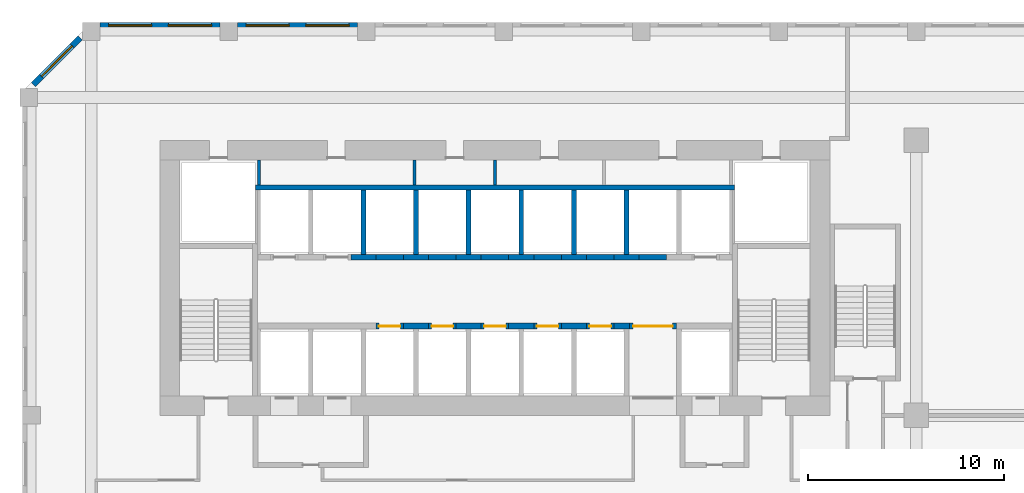
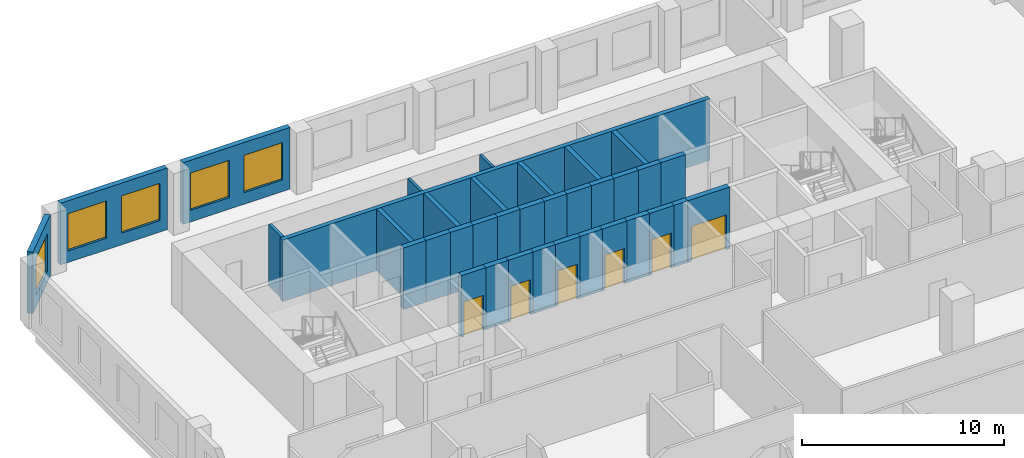
# One storey, part 13 of 25: 36 walls, 6 doors, 5 windows, 11 openings.
"""IFC4 building model written with IfcOpenShell, lengths in metres."""

from ifc_helpers import new_model, si_unit, direction, frame, frame_2d, origin, place, context, subcontext, project, spatial, rectangle, extrude, source, transform, mapped, material, layer, layer_set, type_object, element, fill, save


model = new_model("IFC4")

# Units and contexts
model_context = context("Model", 3, precision=1e-05, world=origin(), true_north=direction((0.0, 1.0)))
body_context = subcontext(model_context, "Body", "Model", "MODEL_VIEW")
ifc_project = project(units=[si_unit("LENGTHUNIT", "METRE"), si_unit("AREAUNIT", "SQUARE_METRE"), si_unit("VOLUMEUNIT", "CUBIC_METRE"), si_unit("PLANEANGLEUNIT", "RADIAN"), si_unit("MASSUNIT", "GRAM", prefix="KILO")], contexts=[model_context])

# Site, building, storey
site_placement = place(None, origin())
site = spatial("IfcSite", under=ifc_project, at=site_placement, CompositionType="ELEMENT")
building_placement = place(site_placement, origin())
building = spatial("IfcBuilding", under=site, at=building_placement, Name="Kilnfold Tower and Market Hall", CompositionType="ELEMENT")
storey_placement = place(building_placement, frame((0.0, 0.0, 67.199951171875)))
storey = spatial("IfcBuildingStorey", under=building, at=storey_placement, Name="L15", CompositionType="ELEMENT", Elevation=67.199951171875)

# Walls
ifc_material_1 = material(Name="Concrete C80", Category="concrete")
ifc_layer_1 = layer(ifc_material_1, 0.300048828125)
ifc_layer_set_1 = layer_set([ifc_layer_1], Name="Concrete C80")
wall_type_1 = type_object("IfcWallType", Name="CORE WALL 300 C80", PredefinedType="SHEAR", material=ifc_layer_set_1)
shared_shape_1 = source(origin(), body_context, "Body", "SweptSolid", [
    extrude(rectangle(XDim=1.280029296875, YDim=0.300048828125, at=frame_2d((0.64013671875, 0.0))), origin(), (0.0, 0.0, 1.0), 3.719970703125),
])
for number, where, z_axis, x_axis, name in (
    (1, (-3.610107421875, 12.550048828125, 0.0), (0.0, 0.0, 1.0), (1.0, 0.0, 0.0), "Core spine wall"),
    (2, (-0.929931640625, 12.550048828125, 0.0), (0.0, 0.0, 1.0), (1.0, 0.0, 0.0), "Core spine wall"),
    (3, (1.75, 12.550048828125, 0.0), (0.0, 0.0, 1.0), (1.0, 0.0, 0.0), "Core spine wall"),
    (4, (4.429931640625, 12.550048828125, 0.0), (0.0, 0.0, 1.0), (1.0, 0.0, 0.0), "Core spine wall"),
    (5, (-6.2900390625, 16.050048828125, 0.0), (0.0, 0.0, 1.0), (1.0, 0.0, 0.0), "Core spine wall"),
    (6, (-3.610107421875, 16.050048828125, 0.0), (0.0, 0.0, 1.0), (1.0, 0.0, 0.0), "Core spine wall"),
    (7, (-0.929931640625, 16.050048828125, 0.0), (0.0, 0.0, 1.0), (1.0, 0.0, 0.0), "Core spine wall"),
    (8, (1.75, 16.050048828125, 0.0), (0.0, 0.0, 1.0), (1.0, 0.0, 0.0), "Core spine wall"),
    (9, (4.429931640625, 16.050048828125, 0.0), (0.0, 0.0, 1.0), (1.0, 0.0, 0.0), "Core spine wall"),
):
    element("IfcWall", number, at=place(storey_placement, frame(where, z_axis=z_axis, x_axis=x_axis)), inside=storey, type_object=wall_type_1, Name=name, PredefinedType="SHEAR", context=body_context, shape_type="MappedRepresentation", body=[
        mapped(shared_shape_1, transform((0.0, 0.0, 0.0))),
    ])
shared_shape_2 = source(origin(), body_context, "Body", "SweptSolid", [
    extrude(rectangle(XDim=0.77978515625, YDim=0.300048828125, at=frame_2d((0.389892578125, 0.0))), origin(), (0.0, 0.0, 1.0), 3.719970703125),
])
wall_1_placement = place(storey_placement, frame((7.110107421875, 12.550048828125, 0.0), z_axis=(0.0, 0.0, 1.0), x_axis=(1.0, 0.0, 0.0)))
element("IfcWall", 10, at=wall_1_placement, inside=storey, type_object=wall_type_1, Name="Core spine wall", PredefinedType="SHEAR", context=body_context, shape_type="MappedRepresentation", body=[
    mapped(shared_shape_2, transform((0.0, 0.0, 0.0))),
])
shared_shape_3 = source(origin(), body_context, "Body", "SweptSolid", [
    extrude(rectangle(XDim=1.27978515625, YDim=0.300048828125, at=frame_2d((0.639892578125, 0.0))), origin(), (0.0, 0.0, 1.0), 3.719970703125),
])
wall_2_placement = place(storey_placement, frame((7.110107421875, 16.050048828125, 0.0), z_axis=(0.0, 0.0, 1.0), x_axis=(1.0, 0.0, 0.0)))
element("IfcWall", 11, at=wall_2_placement, inside=storey, type_object=wall_type_1, Name="Core spine wall", PredefinedType="SHEAR", context=body_context, shape_type="MappedRepresentation", body=[
    mapped(shared_shape_3, transform((0.0, 0.0, 0.0))),
])

# Wall, opening, window
ifc_material_2 = material(Name="Precast concrete C50/60", Category="concrete")
ifc_layer_2 = layer(ifc_material_2, 0.300048828125)
ifc_layer_set_2 = layer_set([ifc_layer_2], Name="Precast concrete C50/60")
wall_type_2 = type_object("IfcWallType", Name="PRECAST WALL 300", PredefinedType="SOLIDWALL", material=ifc_layer_set_2)
shared_shape_4 = source(origin(), body_context, "Body", "SweptSolid", [
    extrude(rectangle(XDim=3.35888671875, YDim=0.300048828125, at=frame_2d((1.679443359375, 0.0))), origin(), (0.0, 0.0, 1.0), 3.719970703125),
])
wall_3_placement = place(storey_placement, frame((-20.06884765625, 27.218994140625, 0.0), z_axis=(0.0, 0.0, 1.0), x_axis=(-0.707143122278, -0.707070438228, 0.0)))
wall_3 = element("IfcWall", 12, at=wall_3_placement, inside=storey, type_object=wall_type_2, Name="External wall L15 NW", PredefinedType="SOLIDWALL", context=body_context, shape_type="MappedRepresentation", body=[
    mapped(shared_shape_4, transform((0.0, 0.0, 0.0))),
])
opening_1_placement = place(wall_3_placement, frame((0.579345703125, 0.0, 0.699951171875)))
opening_1 = element("IfcOpeningElement", 13, at=opening_1_placement, cuts=wall_3, Name="Opening W1", PredefinedType="OPENING", context=body_context, shape_type="SweptSolid", body=[
    extrude(rectangle(XDim=2.199951171875, YDim=2.25, at=frame_2d((1.10009765625, 1.125))), frame((0.0, 0.16015625, 0.0), z_axis=(0.0, -1.0, 0.0), x_axis=(1.0, 0.0, 0.0)), (0.0, 0.0, 1.0), 0.320068359375),
])
ifc_material_3 = material(Name="Aluminium frame and double glazing", Category="aluminium")
window_type = type_object("IfcWindowType", Name="WINDOW W1 2200X2250", PartitioningType="SINGLE_PANEL", PredefinedType="WINDOW", material=ifc_material_3)
window_1_placement = place(opening_1_placement, origin())
window_1 = element("IfcWindow", 14, at=window_1_placement, inside=storey, type_object=window_type, Name="Window W1 L15 NW-1", OverallHeight=2.25, OverallWidth=2.199951171875, PartitioningType="SINGLE_PANEL", PredefinedType="WINDOW", context=body_context, shape_type="SweptSolid", body=[
    extrude(rectangle(XDim=2.199951171875, YDim=2.25, at=frame_2d((1.10009765625, 1.125))), frame((0.0, 0.030029296875, 0.0), z_axis=(0.0, -1.0, 0.0), x_axis=(1.0, 0.0, 0.0)), (0.0, 0.0, 1.0), 0.06005859375),
])
fill(opening_1, window_1)

# Wall, openings, windows
shared_shape_5 = source(origin(), body_context, "Body", "SweptSolid", [
    extrude(rectangle(XDim=6.10009765625, YDim=0.300048828125, at=frame_2d((3.050048828125, 0.0))), origin(), (0.0, 0.0, 1.0), 3.719970703125),
])
wall_4_placement = place(storey_placement, frame((-5.949951171875, 27.85009765625, 0.0), z_axis=(0.0, 0.0, 1.0), x_axis=(-1.0, 0.0, 0.0)))
wall_4 = element("IfcWall", 15, at=wall_4_placement, inside=storey, type_object=wall_type_2, Name="External wall L15 N", PredefinedType="SOLIDWALL", context=body_context, shape_type="MappedRepresentation", body=[
    mapped(shared_shape_5, transform((0.0, 0.0, 0.0))),
])
opening_2_placement = place(wall_4_placement, frame((0.425048828125, 0.0, 0.699951171875)))
opening_2 = element("IfcOpeningElement", 16, at=opening_2_placement, cuts=wall_4, Name="Opening W1", PredefinedType="OPENING", context=body_context, shape_type="SweptSolid", body=[
    extrude(rectangle(XDim=2.199951171875, YDim=2.25, at=frame_2d((1.10009765625, 1.125))), frame((0.0, 0.16015625, 0.0), z_axis=(0.0, -1.0, 0.0), x_axis=(1.0, 0.0, 0.0)), (0.0, 0.0, 1.0), 0.320068359375),
])
opening_3_placement = place(wall_4_placement, frame((3.47509765625, 0.0, 0.699951171875)))
opening_3 = element("IfcOpeningElement", 17, at=opening_3_placement, cuts=wall_4, Name="Opening W1", PredefinedType="OPENING", context=body_context, shape_type="SweptSolid", body=[
    extrude(rectangle(XDim=2.199951171875, YDim=2.25, at=frame_2d((1.10009765625, 1.125))), frame((0.0, 0.16015625, 0.0), z_axis=(0.0, -1.0, 0.0), x_axis=(1.0, 0.0, 0.0)), (0.0, 0.0, 1.0), 0.320068359375),
])
window_2_placement = place(opening_2_placement, origin())
window_2 = element("IfcWindow", 18, at=window_2_placement, inside=storey, type_object=window_type, Name="Window W1 L15 N-1", OverallHeight=2.25, OverallWidth=2.199951171875, PartitioningType="SINGLE_PANEL", PredefinedType="WINDOW", context=body_context, shape_type="SweptSolid", body=[
    extrude(rectangle(XDim=2.199951171875, YDim=2.25, at=frame_2d((1.10009765625, 1.125))), frame((0.0, 0.030029296875, 0.0), z_axis=(0.0, -1.0, 0.0), x_axis=(1.0, 0.0, 0.0)), (0.0, 0.0, 1.0), 0.06005859375),
])
fill(opening_2, window_2)
window_3_placement = place(opening_3_placement, origin())
window_3 = element("IfcWindow", 19, at=window_3_placement, inside=storey, type_object=window_type, Name="Window W1 L15 N-2", OverallHeight=2.25, OverallWidth=2.199951171875, PartitioningType="SINGLE_PANEL", PredefinedType="WINDOW", context=body_context, shape_type="SweptSolid", body=[
    extrude(rectangle(XDim=2.199951171875, YDim=2.25, at=frame_2d((1.10009765625, 1.125))), frame((0.0, 0.030029296875, 0.0), z_axis=(0.0, -1.0, 0.0), x_axis=(1.0, 0.0, 0.0)), (0.0, 0.0, 1.0), 0.06005859375),
])
fill(opening_3, window_3)

wall_5_placement = place(storey_placement, frame((-12.949951171875, 27.85009765625, 0.0), z_axis=(0.0, 0.0, 1.0), x_axis=(-1.0, 0.0, 0.0)))
wall_5 = element("IfcWall", 20, at=wall_5_placement, inside=storey, type_object=wall_type_2, Name="External wall L15 N", PredefinedType="SOLIDWALL", context=body_context, shape_type="MappedRepresentation", body=[
    mapped(shared_shape_5, transform((0.0, 0.0, 0.0))),
])
opening_4_placement = place(wall_5_placement, frame((0.425048828125, 0.0, 0.699951171875)))
opening_4 = element("IfcOpeningElement", 21, at=opening_4_placement, cuts=wall_5, Name="Opening W1", PredefinedType="OPENING", context=body_context, shape_type="SweptSolid", body=[
    extrude(rectangle(XDim=2.199951171875, YDim=2.25, at=frame_2d((1.10009765625, 1.125))), frame((0.0, 0.16015625, 0.0), z_axis=(0.0, -1.0, 0.0), x_axis=(1.0, 0.0, 0.0)), (0.0, 0.0, 1.0), 0.320068359375),
])
opening_5_placement = place(wall_5_placement, frame((3.47509765625, 0.0, 0.699951171875)))
opening_5 = element("IfcOpeningElement", 22, at=opening_5_placement, cuts=wall_5, Name="Opening W1", PredefinedType="OPENING", context=body_context, shape_type="SweptSolid", body=[
    extrude(rectangle(XDim=2.199951171875, YDim=2.25, at=frame_2d((1.10009765625, 1.125))), frame((0.0, 0.16015625, 0.0), z_axis=(0.0, -1.0, 0.0), x_axis=(1.0, 0.0, 0.0)), (0.0, 0.0, 1.0), 0.320068359375),
])
window_4_placement = place(opening_4_placement, origin())
window_4 = element("IfcWindow", 23, at=window_4_placement, inside=storey, type_object=window_type, Name="Window W1 L15 N-1", OverallHeight=2.25, OverallWidth=2.199951171875, PartitioningType="SINGLE_PANEL", PredefinedType="WINDOW", context=body_context, shape_type="SweptSolid", body=[
    extrude(rectangle(XDim=2.199951171875, YDim=2.25, at=frame_2d((1.10009765625, 1.125))), frame((0.0, 0.030029296875, 0.0), z_axis=(0.0, -1.0, 0.0), x_axis=(1.0, 0.0, 0.0)), (0.0, 0.0, 1.0), 0.06005859375),
])
fill(opening_4, window_4)
window_5_placement = place(opening_5_placement, origin())
window_5 = element("IfcWindow", 24, at=window_5_placement, inside=storey, type_object=window_type, Name="Window W1 L15 N-2", OverallHeight=2.25, OverallWidth=2.199951171875, PartitioningType="SINGLE_PANEL", PredefinedType="WINDOW", context=body_context, shape_type="SweptSolid", body=[
    extrude(rectangle(XDim=2.199951171875, YDim=2.25, at=frame_2d((1.10009765625, 1.125))), frame((0.0, 0.030029296875, 0.0), z_axis=(0.0, -1.0, 0.0), x_axis=(1.0, 0.0, 0.0)), (0.0, 0.0, 1.0), 0.06005859375),
])
fill(opening_5, window_5)

# Wall, opening, door
ifc_material_4 = material(Name="Gypsum shaft wall system")
ifc_layer_3 = layer(ifc_material_4, 0.300048828125)
ifc_layer_set_3 = layer_set([ifc_layer_3], Name="Gypsum shaft wall system")
wall_type_3 = type_object("IfcWallType", Name="SHAFT WALL 300", PredefinedType="PARTITIONING", material=ifc_layer_set_3)
shared_shape_6 = source(origin(), body_context, "Body", "SweptSolid", [
    extrude(rectangle(XDim=1.39990234375, YDim=0.300048828125, at=frame_2d((0.699951171875, 0.0))), origin(), (0.0, 0.0, 1.0), 3.719970703125),
])
wall_6_placement = place(storey_placement, frame((-5.010009765625, 12.550048828125, 0.0), z_axis=(0.0, 0.0, 1.0), x_axis=(1.0, 0.0, 0.0)))
wall_6 = element("IfcWall", 25, at=wall_6_placement, inside=storey, type_object=wall_type_3, Name="Lift shaft front wall", PredefinedType="PARTITIONING", context=body_context, shape_type="MappedRepresentation", body=[
    mapped(shared_shape_6, transform((0.0, 0.0, 0.0))),
])
opening_6_placement = place(wall_6_placement, frame((0.14990234375, 0.0, 0.0)))
opening_6 = element("IfcOpeningElement", 26, at=opening_6_placement, cuts=wall_6, Name="Opening LD2", PredefinedType="OPENING", context=body_context, shape_type="SweptSolid", body=[
    extrude(rectangle(XDim=1.10009765625, YDim=2.10009765625, at=frame_2d((0.550048828125, 1.050048828125))), frame((0.0, 0.16015625, 0.0), z_axis=(0.0, -1.0, 0.0), x_axis=(1.0, 0.0, 0.0)), (0.0, 0.0, 1.0), 0.320068359375),
])
ifc_material_5 = material(Name="Steel door set with fire-resisting leaf", Category="steel")
door_type_1 = type_object("IfcDoorType", Name="LANDING DOOR 1100X2100", OperationType="NOTDEFINED", PredefinedType="DOOR", material=ifc_material_5)
door_1_placement = place(opening_6_placement, origin())
door_1 = element("IfcDoor", 27, at=door_1_placement, inside=storey, type_object=door_type_1, Name="Landing door LR1", OperationType="DOUBLE_DOOR_SLIDING", OverallHeight=2.10009765625, OverallWidth=1.10009765625, PredefinedType="DOOR", context=body_context, shape_type="SweptSolid", body=[
    extrude(rectangle(XDim=1.10009765625, YDim=2.10009765625, at=frame_2d((0.550048828125, 1.050048828125))), frame((0.0, 0.02490234375, 0.0), z_axis=(0.0, -1.0, 0.0), x_axis=(1.0, 0.0, 0.0)), (0.0, 0.0, 1.0), 0.050048828125),
])
fill(opening_6, door_1)

wall_7_placement = place(storey_placement, frame((0.35009765625, 12.550048828125, 0.0), z_axis=(0.0, 0.0, 1.0), x_axis=(1.0, 0.0, 0.0)))
wall_7 = element("IfcWall", 28, at=wall_7_placement, inside=storey, type_object=wall_type_3, Name="Lift shaft front wall", PredefinedType="PARTITIONING", context=body_context, shape_type="MappedRepresentation", body=[
    mapped(shared_shape_6, transform((0.0, 0.0, 0.0))),
])
opening_7_placement = place(wall_7_placement, frame((0.14990234375, 0.0, 0.0)))
opening_7 = element("IfcOpeningElement", 29, at=opening_7_placement, cuts=wall_7, Name="Opening LD2", PredefinedType="OPENING", context=body_context, shape_type="SweptSolid", body=[
    extrude(rectangle(XDim=1.10009765625, YDim=2.10009765625, at=frame_2d((0.550048828125, 1.050048828125))), frame((0.0, 0.16015625, 0.0), z_axis=(0.0, -1.0, 0.0), x_axis=(1.0, 0.0, 0.0)), (0.0, 0.0, 1.0), 0.320068359375),
])
door_2_placement = place(opening_7_placement, origin())
door_2 = element("IfcDoor", 30, at=door_2_placement, inside=storey, type_object=door_type_1, Name="Landing door LR3", OperationType="DOUBLE_DOOR_SLIDING", OverallHeight=2.10009765625, OverallWidth=1.10009765625, PredefinedType="DOOR", context=body_context, shape_type="SweptSolid", body=[
    extrude(rectangle(XDim=1.10009765625, YDim=2.10009765625, at=frame_2d((0.550048828125, 1.050048828125))), frame((0.0, 0.02490234375, 0.0), z_axis=(0.0, -1.0, 0.0), x_axis=(1.0, 0.0, 0.0)), (0.0, 0.0, 1.0), 0.050048828125),
])
fill(opening_7, door_2)

wall_8_placement = place(storey_placement, frame((3.030029296875, 12.550048828125, 0.0), z_axis=(0.0, 0.0, 1.0), x_axis=(1.0, 0.0, 0.0)))
wall_8 = element("IfcWall", 31, at=wall_8_placement, inside=storey, type_object=wall_type_3, Name="Lift shaft front wall", PredefinedType="PARTITIONING", context=body_context, shape_type="MappedRepresentation", body=[
    mapped(shared_shape_6, transform((0.0, 0.0, 0.0))),
])
opening_8_placement = place(wall_8_placement, frame((0.14990234375, 0.0, 0.0)))
opening_8 = element("IfcOpeningElement", 32, at=opening_8_placement, cuts=wall_8, Name="Opening LD2", PredefinedType="OPENING", context=body_context, shape_type="SweptSolid", body=[
    extrude(rectangle(XDim=1.10009765625, YDim=2.10009765625, at=frame_2d((0.550048828125, 1.050048828125))), frame((0.0, 0.16015625, 0.0), z_axis=(0.0, -1.0, 0.0), x_axis=(1.0, 0.0, 0.0)), (0.0, 0.0, 1.0), 0.320068359375),
])
door_3_placement = place(opening_8_placement, origin())
door_3 = element("IfcDoor", 33, at=door_3_placement, inside=storey, type_object=door_type_1, Name="Landing door LR4", OperationType="DOUBLE_DOOR_SLIDING", OverallHeight=2.10009765625, OverallWidth=1.10009765625, PredefinedType="DOOR", context=body_context, shape_type="SweptSolid", body=[
    extrude(rectangle(XDim=1.10009765625, YDim=2.10009765625, at=frame_2d((0.550048828125, 1.050048828125))), frame((0.0, 0.02490234375, 0.0), z_axis=(0.0, -1.0, 0.0), x_axis=(1.0, 0.0, 0.0)), (0.0, 0.0, 1.0), 0.050048828125),
])
fill(opening_8, door_3)

# Walls
for number, where, z_axis, x_axis, name in (
    (34, (-5.010009765625, 16.050048828125, 0.0), (0.0, 0.0, 1.0), (1.0, 0.0, 0.0), "Lift shaft front wall"),
    (35, (0.35009765625, 16.050048828125, 0.0), (0.0, 0.0, 1.0), (1.0, 0.0, 0.0), "Lift shaft front wall"),
    (36, (3.030029296875, 16.050048828125, 0.0), (0.0, 0.0, 1.0), (1.0, 0.0, 0.0), "Lift shaft front wall"),
):
    element("IfcWall", number, at=place(storey_placement, frame(where, z_axis=z_axis, x_axis=x_axis)), inside=storey, type_object=wall_type_3, Name=name, PredefinedType="PARTITIONING", context=body_context, shape_type="MappedRepresentation", body=[
        mapped(shared_shape_6, transform((0.0, 0.0, 0.0))),
    ])

# Wall, opening, door
shared_shape_7 = source(origin(), body_context, "Body", "SweptSolid", [
    extrude(rectangle(XDim=1.400146484375, YDim=0.300048828125, at=frame_2d((0.7001953125, 0.0))), origin(), (0.0, 0.0, 1.0), 3.719970703125),
])
wall_9_placement = place(storey_placement, frame((-2.330078125, 12.550048828125, 0.0), z_axis=(0.0, 0.0, 1.0), x_axis=(1.0, 0.0, 0.0)))
wall_9 = element("IfcWall", 37, at=wall_9_placement, inside=storey, type_object=wall_type_3, Name="Lift shaft front wall", PredefinedType="PARTITIONING", context=body_context, shape_type="MappedRepresentation", body=[
    mapped(shared_shape_7, transform((0.0, 0.0, 0.0))),
])
opening_9_placement = place(wall_9_placement, frame((0.14990234375, 0.0, 0.0)))
opening_9 = element("IfcOpeningElement", 38, at=opening_9_placement, cuts=wall_9, Name="Opening LD2", PredefinedType="OPENING", context=body_context, shape_type="SweptSolid", body=[
    extrude(rectangle(XDim=1.10009765625, YDim=2.10009765625, at=frame_2d((0.550048828125, 1.050048828125))), frame((0.0, 0.16015625, 0.0), z_axis=(0.0, -1.0, 0.0), x_axis=(1.0, 0.0, 0.0)), (0.0, 0.0, 1.0), 0.320068359375),
])
door_4_placement = place(opening_9_placement, origin())
door_4 = element("IfcDoor", 39, at=door_4_placement, inside=storey, type_object=door_type_1, Name="Landing door LR2", OperationType="DOUBLE_DOOR_SLIDING", OverallHeight=2.10009765625, OverallWidth=1.10009765625, PredefinedType="DOOR", context=body_context, shape_type="SweptSolid", body=[
    extrude(rectangle(XDim=1.10009765625, YDim=2.10009765625, at=frame_2d((0.550048828125, 1.050048828125))), frame((0.0, 0.02490234375, 0.0), z_axis=(0.0, -1.0, 0.0), x_axis=(1.0, 0.0, 0.0)), (0.0, 0.0, 1.0), 0.050048828125),
])
fill(opening_9, door_4)

wall_10_placement = place(storey_placement, frame((5.7099609375, 12.550048828125, 0.0), z_axis=(0.0, 0.0, 1.0), x_axis=(1.0, 0.0, 0.0)))
wall_10 = element("IfcWall", 40, at=wall_10_placement, inside=storey, type_object=wall_type_3, Name="Lift shaft front wall", PredefinedType="PARTITIONING", context=body_context, shape_type="MappedRepresentation", body=[
    mapped(shared_shape_7, transform((0.0, 0.0, 0.0))),
])
opening_10_placement = place(wall_10_placement, frame((0.14990234375, 0.0, 0.0)))
opening_10 = element("IfcOpeningElement", 41, at=opening_10_placement, cuts=wall_10, Name="Opening LD2", PredefinedType="OPENING", context=body_context, shape_type="SweptSolid", body=[
    extrude(rectangle(XDim=1.10009765625, YDim=2.10009765625, at=frame_2d((0.550048828125, 1.050048828125))), frame((0.0, 0.16015625, 0.0), z_axis=(0.0, -1.0, 0.0), x_axis=(1.0, 0.0, 0.0)), (0.0, 0.0, 1.0), 0.320068359375),
])
door_5_placement = place(opening_10_placement, origin())
door_5 = element("IfcDoor", 42, at=door_5_placement, inside=storey, type_object=door_type_1, Name="Landing door LR5", OperationType="DOUBLE_DOOR_SLIDING", OverallHeight=2.10009765625, OverallWidth=1.10009765625, PredefinedType="DOOR", context=body_context, shape_type="SweptSolid", body=[
    extrude(rectangle(XDim=1.10009765625, YDim=2.10009765625, at=frame_2d((0.550048828125, 1.050048828125))), frame((0.0, 0.02490234375, 0.0), z_axis=(0.0, -1.0, 0.0), x_axis=(1.0, 0.0, 0.0)), (0.0, 0.0, 1.0), 0.050048828125),
])
fill(opening_10, door_5)

# Walls
for number, where, z_axis, x_axis, name in (
    (43, (-2.330078125, 16.050048828125, 0.0), (0.0, 0.0, 1.0), (1.0, 0.0, 0.0), "Lift shaft front wall"),
    (44, (5.7099609375, 16.050048828125, 0.0), (0.0, 0.0, 1.0), (1.0, 0.0, 0.0), "Lift shaft front wall"),
    (45, (8.389892578125, 16.050048828125, 0.0), (0.0, 0.0, 1.0), (1.0, 0.0, 0.0), "Lift shaft front wall"),
):
    element("IfcWall", number, at=place(storey_placement, frame(where, z_axis=z_axis, x_axis=x_axis)), inside=storey, type_object=wall_type_3, Name=name, PredefinedType="PARTITIONING", context=body_context, shape_type="MappedRepresentation", body=[
        mapped(shared_shape_7, transform((0.0, 0.0, 0.0))),
    ])

# Wall, opening, door
shared_shape_8 = source(origin(), body_context, "Body", "SweptSolid", [
    extrude(rectangle(XDim=2.400146484375, YDim=0.300048828125, at=frame_2d((1.2001953125, 0.0))), origin(), (0.0, 0.0, 1.0), 3.719970703125),
])
wall_11_placement = place(storey_placement, frame((7.889892578125, 12.550048828125, 0.0), z_axis=(0.0, 0.0, 1.0), x_axis=(1.0, 0.0, 0.0)))
wall_11 = element("IfcWall", 46, at=wall_11_placement, inside=storey, type_object=wall_type_3, Name="Lift shaft front wall", PredefinedType="PARTITIONING", context=body_context, shape_type="MappedRepresentation", body=[
    mapped(shared_shape_8, transform((0.0, 0.0, 0.0))),
])
opening_11_placement = place(wall_11_placement, frame((0.199951171875, 0.0, 0.0)))
opening_11 = element("IfcOpeningElement", 47, at=opening_11_placement, cuts=wall_11, Name="Opening VD2", PredefinedType="OPENING", context=body_context, shape_type="SweptSolid", body=[
    extrude(rectangle(XDim=2.0, YDim=2.10009765625, at=frame_2d((1.0, 1.050048828125))), frame((0.0, 0.16015625, 0.0), z_axis=(0.0, -1.0, 0.0), x_axis=(1.0, 0.0, 0.0)), (0.0, 0.0, 1.0), 0.320068359375),
])
ifc_material_6 = material(Name="Steel door set with fire-resisting leaf", Category="steel")
door_type_2 = type_object("IfcDoorType", Name="LIFT LOBBY ENTRANCE DOOR 2000X2100", OperationType="NOTDEFINED", PredefinedType="DOOR", material=ifc_material_6)
door_6_placement = place(opening_11_placement, origin())
door_6 = element("IfcDoor", 48, at=door_6_placement, inside=storey, type_object=door_type_2, Name="Lift lobby entrance door", OperationType="DOUBLE_DOOR_SINGLE_SWING", OverallHeight=2.10009765625, OverallWidth=2.0, PredefinedType="DOOR", context=body_context, shape_type="SweptSolid", body=[
    extrude(rectangle(XDim=2.0, YDim=2.10009765625, at=frame_2d((1.0, 1.050048828125))), frame((0.0, 0.02490234375, 0.0), z_axis=(0.0, -1.0, 0.0), x_axis=(1.0, 0.0, 0.0)), (0.0, 0.0, 1.0), 0.050048828125),
])
fill(opening_11, door_6)

# Walls
ifc_material_7 = material(Name="Gypsum shaft wall system")
ifc_layer_4 = layer(ifc_material_7, 0.25)
ifc_layer_set_4 = layer_set([ifc_layer_4], Name="Gypsum shaft wall system")
wall_type_4 = type_object("IfcWallType", Name="SHAFT WALL 250", PredefinedType="PARTITIONING", material=ifc_layer_set_4)
shared_shape_9 = source(origin(), body_context, "Body", "SweptSolid", [
    extrude(rectangle(XDim=24.3701171875, YDim=0.25, at=frame_2d((12.18505859375, 0.0))), origin(), (0.0, 0.0, 1.0), 3.719970703125),
])
wall_12_placement = place(storey_placement, frame((-11.135009765625, 19.60009765625, 0.0), z_axis=(0.0, 0.0, 1.0), x_axis=(1.0, 0.0, 0.0)))
element("IfcWall", 49, at=wall_12_placement, inside=storey, type_object=wall_type_4, Name="Lift shaft wall", PredefinedType="PARTITIONING", context=body_context, shape_type="MappedRepresentation", body=[
    mapped(shared_shape_9, transform((0.0, 0.0, 0.0))),
])
ifc_material_8 = material(Name="Gypsum shaft wall system")
ifc_layer_5 = layer(ifc_material_8, 0.1650390625)
ifc_layer_set_5 = layer_set([ifc_layer_5], Name="Gypsum shaft wall system")
wall_type_5 = type_object("IfcWallType", Name="SHAFT WALL 165", PredefinedType="PARTITIONING", material=ifc_layer_set_5)
shared_shape_10 = source(origin(), body_context, "Body", "SweptSolid", [
    extrude(rectangle(XDim=1.27490234375, YDim=0.1650390625, at=frame_2d((0.637451171875, 0.0))), origin(), (0.0, 0.0, 1.0), 3.719970703125),
])
wall_13_placement = place(storey_placement, frame((-10.967529296875, 19.72509765625, 0.0), z_axis=(0.0, 0.0, 1.0), x_axis=(0.0, 1.0, 0.0)))
element("IfcWall", 50, at=wall_13_placement, inside=storey, type_object=wall_type_5, Name="Lift shaft wall", PredefinedType="PARTITIONING", context=body_context, shape_type="MappedRepresentation", body=[
    mapped(shared_shape_10, transform((0.0, 0.0, 0.0))),
])
shared_shape_11 = source(origin(), body_context, "Body", "SweptSolid", [
    extrude(rectangle(XDim=3.275146484375, YDim=0.25, at=frame_2d((1.6376953125, 0.0))), origin(), (0.0, 0.0, 1.0), 3.719970703125),
])
for number, where, z_axis, x_axis, name in (
    (51, (2.389892578125, 16.199951171875, 0.0), (0.0, 0.0, 1.0), (0.0, 1.0, 0.0), "Lift shaft wall"),
    (52, (5.070068359375, 16.199951171875, 0.0), (0.0, 0.0, 1.0), (0.0, 1.0, 0.0), "Lift shaft wall"),
    (53, (7.75, 16.199951171875, 0.0), (0.0, 0.0, 1.0), (0.0, 1.0, 0.0), "Lift shaft wall"),
    (54, (-0.2900390625, 16.199951171875, 0.0), (0.0, 0.0, 1.0), (0.0, 1.0, 0.0), "Lift shaft wall"),
    (55, (-2.969970703125, 16.199951171875, 0.0), (0.0, 0.0, 1.0), (0.0, 1.0, 0.0), "Lift shaft wall"),
    (56, (-5.64990234375, 16.199951171875, 0.0), (0.0, 0.0, 1.0), (0.0, 1.0, 0.0), "Lift shaft wall"),
):
    element("IfcWall", number, at=place(storey_placement, frame(where, z_axis=z_axis, x_axis=x_axis)), inside=storey, type_object=wall_type_4, Name=name, PredefinedType="PARTITIONING", context=body_context, shape_type="MappedRepresentation", body=[
        mapped(shared_shape_11, transform((0.0, 0.0, 0.0))),
    ])
ifc_material_9 = material(Name="Gypsum shaft wall system")
ifc_layer_6 = layer(ifc_material_9, 0.14990234375)
ifc_layer_set_6 = layer_set([ifc_layer_6], Name="Gypsum shaft wall system")
wall_type_6 = type_object("IfcWallType", Name="ROOM WALL 150", PredefinedType="PARTITIONING", material=ifc_layer_set_6)
shared_shape_12 = source(origin(), body_context, "Body", "SweptSolid", [
    extrude(rectangle(XDim=1.27490234375, YDim=0.14990234375, at=frame_2d((0.637451171875, 0.0))), origin(), (0.0, 0.0, 1.0), 3.719970703125),
])
for number, where, z_axis, x_axis, name in (
    (57, (-3.05029296875, 19.72509765625, 0.0), (0.0, 0.0, 1.0), (0.0, 1.0, 0.0), "Core room wall"),
    (58, (1.050048828125, 19.72509765625, 0.0), (0.0, 0.0, 1.0), (0.0, 1.0, 0.0), "Core room wall"),
):
    element("IfcWall", number, at=place(storey_placement, frame(where, z_axis=z_axis, x_axis=x_axis)), inside=storey, type_object=wall_type_6, Name=name, PredefinedType="PARTITIONING", context=body_context, shape_type="MappedRepresentation", body=[
        mapped(shared_shape_12, transform((0.0, 0.0, 0.0))),
    ])

save(model, "model.ifc")
